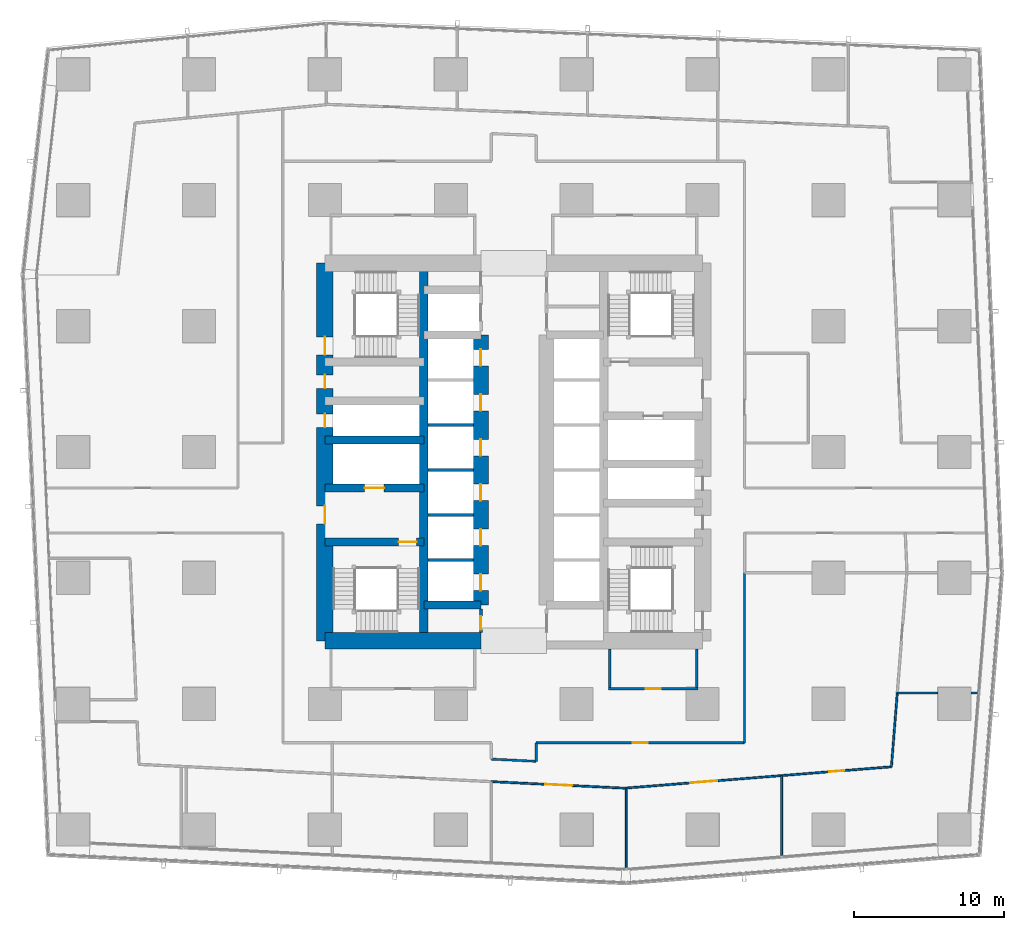
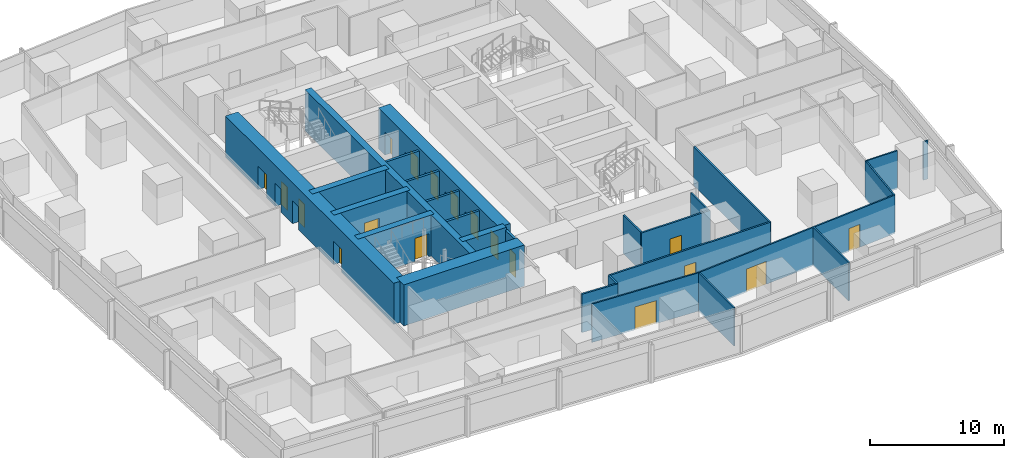
# One storey, part 32 of 44: 28 walls, 18 doors, 18 openings.
"""IFC4 building model written with IfcOpenShell, lengths in metres."""

from ifc_helpers import new_model, si_unit, direction, frame, frame_2d, origin, place, context, subcontext, project, spatial, rectangle, extrude, material, layer, layer_set, type_object, element, fill, save


model = new_model("IFC4")

# Units and contexts
model_context = context("Model", 3, precision=1e-05, world=origin(), true_north=direction((0.0, 1.0)))
body_context = subcontext(model_context, "Body", "Model", "MODEL_VIEW")
ifc_project = project(units=[si_unit("LENGTHUNIT", "METRE"), si_unit("AREAUNIT", "SQUARE_METRE"), si_unit("VOLUMEUNIT", "CUBIC_METRE"), si_unit("PLANEANGLEUNIT", "RADIAN"), si_unit("MASSUNIT", "GRAM", prefix="KILO")], contexts=[model_context])

# Site, building, storey
site_placement = place(None, origin())
site = spatial("IfcSite", under=ifc_project, at=site_placement, CompositionType="ELEMENT")
building_placement = place(site_placement, origin())
building = spatial("IfcBuilding", under=site, at=building_placement, Name="Rekha Terrace Tower", CompositionType="ELEMENT")
storey_placement = place(building_placement, frame((0.0, 0.0, 74.14990234375)))
storey = spatial("IfcBuildingStorey", under=building, at=storey_placement, Name="L18", CompositionType="ELEMENT", Elevation=74.14990234375)

# Walls
ifc_material_1 = material(Name="Concrete M70", Category="concrete")
ifc_layer_1 = layer(ifc_material_1, 0.550048828125)
ifc_layer_set_1 = layer_set([ifc_layer_1], Name="Concrete M70")
wall_type_1 = type_object("IfcWallType", Name="CI1 550 core internal shear wall", PredefinedType="SHEAR", material=ifc_layer_set_1)
wall_1_placement = place(storey_placement, frame((31.800048828125, 21.0, 0.0), z_axis=(0.0, 0.0, 1.0), x_axis=(0.0, 1.0, 0.0)))
element("IfcWall", 1, at=wall_1_placement, inside=storey, type_object=wall_type_1, Name="Core wall X318 L18", PredefinedType="SHEAR", context=body_context, shape_type="SweptSolid", body=[
    extrude(rectangle(XDim=25.199951171875, YDim=0.550048828125, at=frame_2d((12.60009765625, 0.0))), origin(), (0.0, 0.0, 1.0), 3.75),
])
wall_2_placement = place(storey_placement, frame((31.800048828125, 23.39990234375, 0.0), z_axis=(0.0, 0.0, 1.0), x_axis=(1.0, 0.0, 0.0)))
element("IfcWall", 2, at=wall_2_placement, inside=storey, type_object=wall_type_1, Name="Core wall Y234W L18", PredefinedType="SHEAR", context=body_context, shape_type="SweptSolid", body=[
    extrude(rectangle(XDim=3.800048828125, YDim=0.550048828125, at=frame_2d((1.89990234375, 0.0))), origin(), (0.0, 0.0, 1.0), 3.75),
])

# Wall, opening, door
wall_3_placement = place(storey_placement, frame((25.199951171875, 27.60009765625, 0.0), z_axis=(0.0, 0.0, 1.0), x_axis=(1.0, 0.0, 0.0)))
wall_3 = element("IfcWall", 3, at=wall_3_placement, inside=storey, type_object=wall_type_1, Name="Core wall Y276W L18", PredefinedType="SHEAR", context=body_context, shape_type="SweptSolid", body=[
    extrude(rectangle(XDim=6.60009765625, YDim=0.550048828125, at=frame_2d((3.300048828125, 0.0))), origin(), (0.0, 0.0, 1.0), 3.75),
])
opening_1_placement = place(wall_3_placement, frame((4.925048828125, 0.0, 0.0)))
opening_1 = element("IfcOpeningElement", 4, at=opening_1_placement, cuts=wall_3, Name="Opening D1", PredefinedType="OPENING", context=body_context, shape_type="SweptSolid", body=[
    extrude(rectangle(XDim=1.199951171875, YDim=2.10009765625, at=frame_2d((0.60009765625, 1.050048828125))), frame((0.0, 0.284912109375, 0.0), z_axis=(0.0, -1.0, 0.0), x_axis=(1.0, 0.0, 0.0)), (0.0, 0.0, 1.0), 0.570068359375),
])
ifc_material_2 = material(Name="Steel fire door", Category="steel")
door_type_1 = type_object("IfcDoorType", Name="D1 1200x2100 stair fire door", OperationType="SINGLE_SWING_RIGHT", PredefinedType="DOOR", material=ifc_material_2)
door_1_placement = place(opening_1_placement, origin())
door_1 = element("IfcDoor", 5, at=door_1_placement, inside=storey, type_object=door_type_1, Name="Stair ST1 door L18", OperationType="SINGLE_SWING_RIGHT", OverallHeight=2.10009765625, OverallWidth=1.199951171875, PredefinedType="DOOR", context=body_context, shape_type="SweptSolid", body=[
    extrude(rectangle(XDim=1.199951171875, YDim=2.10009765625, at=frame_2d((0.60009765625, 1.050048828125))), frame((0.0, 0.02490234375, 0.0), z_axis=(0.0, -1.0, 0.0), x_axis=(1.0, 0.0, 0.0)), (0.0, 0.0, 1.0), 0.050048828125),
])
fill(opening_1, door_1)

wall_4_placement = place(storey_placement, frame((25.199951171875, 31.199951171875, 0.0), z_axis=(0.0, 0.0, 1.0), x_axis=(1.0, 0.0, 0.0)))
wall_4 = element("IfcWall", 6, at=wall_4_placement, inside=storey, type_object=wall_type_1, Name="Core wall Y312W L18", PredefinedType="SHEAR", context=body_context, shape_type="SweptSolid", body=[
    extrude(rectangle(XDim=6.60009765625, YDim=0.550048828125, at=frame_2d((3.300048828125, 0.0))), origin(), (0.0, 0.0, 1.0), 3.75),
])
opening_2_placement = place(wall_4_placement, frame((2.64990234375, 0.0, 0.0)))
opening_2 = element("IfcOpeningElement", 7, at=opening_2_placement, cuts=wall_4, Name="Opening LD2", PredefinedType="OPENING", context=body_context, shape_type="SweptSolid", body=[
    extrude(rectangle(XDim=1.300048828125, YDim=2.10009765625, at=frame_2d((0.64990234375, 1.050048828125))), frame((0.0, 0.284912109375, 0.0), z_axis=(0.0, -1.0, 0.0), x_axis=(1.0, 0.0, 0.0)), (0.0, 0.0, 1.0), 0.570068359375),
])
ifc_material_3 = material(Name="Stainless steel sliding landing door", Category="steel")
door_type_2 = type_object("IfcDoorType", Name="LD2 1300x2100 fire lift landing door", OperationType="SLIDING_TO_LEFT", PredefinedType="USERDEFINED", material=ifc_material_3)
door_2_placement = place(opening_2_placement, origin())
door_2 = element("IfcDoor", 8, at=door_2_placement, inside=storey, type_object=door_type_2, Name="Lift FL1 landing door L18", ObjectType="LIFT LANDING DOOR", OperationType="SLIDING_TO_LEFT", OverallHeight=2.10009765625, OverallWidth=1.300048828125, PredefinedType="USERDEFINED", context=body_context, shape_type="SweptSolid", body=[
    extrude(rectangle(XDim=1.300048828125, YDim=2.10009765625, at=frame_2d((0.64990234375, 1.050048828125))), frame((0.0, 0.02490234375, 0.0), z_axis=(0.0, -1.0, 0.0), x_axis=(1.0, 0.0, 0.0)), (0.0, 0.0, 1.0), 0.050048828125),
])
fill(opening_2, door_2)

# Wall
wall_5_placement = place(storey_placement, frame((25.199951171875, 34.39990234375, 0.0), z_axis=(0.0, 0.0, 1.0), x_axis=(1.0, 0.0, 0.0)))
element("IfcWall", 9, at=wall_5_placement, inside=storey, type_object=wall_type_1, Name="Core wall Y344W L18", PredefinedType="SHEAR", context=body_context, shape_type="SweptSolid", body=[
    extrude(rectangle(XDim=6.60009765625, YDim=0.550048828125, at=frame_2d((3.300048828125, 0.0))), origin(), (0.0, 0.0, 1.0), 3.75),
])

# Wall, openings, doors
ifc_layer_2 = layer(ifc_material_1, 1.0)
ifc_layer_set_2 = layer_set([ifc_layer_2], Name="Concrete M70")
wall_type_2 = type_object("IfcWallType", Name="LW1 1000 core lobby wall at an outrigger level", PredefinedType="SHEAR", material=ifc_layer_set_2)
wall_6_placement = place(storey_placement, frame((35.60009765625, 23.39990234375, 0.0), z_axis=(0.0, 0.0, 1.0), x_axis=(0.0, 1.0, 0.0)))
wall_6 = element("IfcWall", 10, at=wall_6_placement, inside=storey, type_object=wall_type_2, Name="Core wall X356 L18", PredefinedType="SHEAR", context=body_context, shape_type="SweptSolid", body=[
    extrude(rectangle(XDim=18.0, YDim=1.0, at=frame_2d((9.0, 0.0))), origin(), (0.0, 0.0, 1.0), 3.75),
])
opening_3_placement = place(wall_6_placement, frame((0.949951171875, 0.0, 0.0)))
opening_3 = element("IfcOpeningElement", 11, at=opening_3_placement, cuts=wall_6, Name="Opening LD1", PredefinedType="OPENING", context=body_context, shape_type="SweptSolid", body=[
    extrude(rectangle(XDim=1.10009765625, YDim=2.10009765625, at=frame_2d((0.550048828125, 1.050048828125))), frame((0.0, 0.510009765625, 0.0), z_axis=(0.0, -1.0, 0.0), x_axis=(1.0, 0.0, 0.0)), (0.0, 0.0, 1.0), 1.02001953125),
])
opening_4_placement = place(wall_6_placement, frame((3.949951171875, 0.0, 0.0)))
opening_4 = element("IfcOpeningElement", 12, at=opening_4_placement, cuts=wall_6, Name="Opening LD1", PredefinedType="OPENING", context=body_context, shape_type="SweptSolid", body=[
    extrude(rectangle(XDim=1.10009765625, YDim=2.10009765625, at=frame_2d((0.550048828125, 1.050048828125))), frame((0.0, 0.510009765625, 0.0), z_axis=(0.0, -1.0, 0.0), x_axis=(1.0, 0.0, 0.0)), (0.0, 0.0, 1.0), 1.02001953125),
])
opening_5_placement = place(wall_6_placement, frame((6.949951171875, 0.0, 0.0)))
opening_5 = element("IfcOpeningElement", 13, at=opening_5_placement, cuts=wall_6, Name="Opening LD1", PredefinedType="OPENING", context=body_context, shape_type="SweptSolid", body=[
    extrude(rectangle(XDim=1.10009765625, YDim=2.10009765625, at=frame_2d((0.550048828125, 1.050048828125))), frame((0.0, 0.510009765625, 0.0), z_axis=(0.0, -1.0, 0.0), x_axis=(1.0, 0.0, 0.0)), (0.0, 0.0, 1.0), 1.02001953125),
])
opening_6_placement = place(wall_6_placement, frame((9.949951171875, 0.0, 0.0)))
opening_6 = element("IfcOpeningElement", 14, at=opening_6_placement, cuts=wall_6, Name="Opening LD1", PredefinedType="OPENING", context=body_context, shape_type="SweptSolid", body=[
    extrude(rectangle(XDim=1.10009765625, YDim=2.10009765625, at=frame_2d((0.550048828125, 1.050048828125))), frame((0.0, 0.510009765625, 0.0), z_axis=(0.0, -1.0, 0.0), x_axis=(1.0, 0.0, 0.0)), (0.0, 0.0, 1.0), 1.02001953125),
])
opening_7_placement = place(wall_6_placement, frame((12.949951171875, 0.0, 0.0)))
opening_7 = element("IfcOpeningElement", 15, at=opening_7_placement, cuts=wall_6, Name="Opening LD1", PredefinedType="OPENING", context=body_context, shape_type="SweptSolid", body=[
    extrude(rectangle(XDim=1.10009765625, YDim=2.10009765625, at=frame_2d((0.550048828125, 1.050048828125))), frame((0.0, 0.510009765625, 0.0), z_axis=(0.0, -1.0, 0.0), x_axis=(1.0, 0.0, 0.0)), (0.0, 0.0, 1.0), 1.02001953125),
])
opening_8_placement = place(wall_6_placement, frame((15.949951171875, 0.0, 0.0)))
opening_8 = element("IfcOpeningElement", 16, at=opening_8_placement, cuts=wall_6, Name="Opening LD1", PredefinedType="OPENING", context=body_context, shape_type="SweptSolid", body=[
    extrude(rectangle(XDim=1.10009765625, YDim=2.10009765625, at=frame_2d((0.550048828125, 1.050048828125))), frame((0.0, 0.510009765625, 0.0), z_axis=(0.0, -1.0, 0.0), x_axis=(1.0, 0.0, 0.0)), (0.0, 0.0, 1.0), 1.02001953125),
])
door_type_3 = type_object("IfcDoorType", Name="LD1 1100x2100 lift landing door", OperationType="SLIDING_TO_LEFT", PredefinedType="USERDEFINED", material=ifc_material_3)
door_3_placement = place(opening_3_placement, origin())
door_3 = element("IfcDoor", 17, at=door_3_placement, inside=storey, type_object=door_type_3, Name="Lift A1 landing door L18", ObjectType="LIFT LANDING DOOR", OperationType="SLIDING_TO_LEFT", OverallHeight=2.10009765625, OverallWidth=1.10009765625, PredefinedType="USERDEFINED", context=body_context, shape_type="SweptSolid", body=[
    extrude(rectangle(XDim=1.10009765625, YDim=2.10009765625, at=frame_2d((0.550048828125, 1.050048828125))), frame((0.0, 0.02490234375, 0.0), z_axis=(0.0, -1.0, 0.0), x_axis=(1.0, 0.0, 0.0)), (0.0, 0.0, 1.0), 0.050048828125),
])
fill(opening_3, door_3)
door_4_placement = place(opening_4_placement, origin())
door_4 = element("IfcDoor", 18, at=door_4_placement, inside=storey, type_object=door_type_3, Name="Lift A2 landing door L18", ObjectType="LIFT LANDING DOOR", OperationType="SLIDING_TO_LEFT", OverallHeight=2.10009765625, OverallWidth=1.10009765625, PredefinedType="USERDEFINED", context=body_context, shape_type="SweptSolid", body=[
    extrude(rectangle(XDim=1.10009765625, YDim=2.10009765625, at=frame_2d((0.550048828125, 1.050048828125))), frame((0.0, 0.02490234375, 0.0), z_axis=(0.0, -1.0, 0.0), x_axis=(1.0, 0.0, 0.0)), (0.0, 0.0, 1.0), 0.050048828125),
])
fill(opening_4, door_4)
door_5_placement = place(opening_5_placement, origin())
door_5 = element("IfcDoor", 19, at=door_5_placement, inside=storey, type_object=door_type_3, Name="Lift A3 landing door L18", ObjectType="LIFT LANDING DOOR", OperationType="SLIDING_TO_LEFT", OverallHeight=2.10009765625, OverallWidth=1.10009765625, PredefinedType="USERDEFINED", context=body_context, shape_type="SweptSolid", body=[
    extrude(rectangle(XDim=1.10009765625, YDim=2.10009765625, at=frame_2d((0.550048828125, 1.050048828125))), frame((0.0, 0.02490234375, 0.0), z_axis=(0.0, -1.0, 0.0), x_axis=(1.0, 0.0, 0.0)), (0.0, 0.0, 1.0), 0.050048828125),
])
fill(opening_5, door_5)
door_6_placement = place(opening_6_placement, origin())
door_6 = element("IfcDoor", 20, at=door_6_placement, inside=storey, type_object=door_type_3, Name="Lift A4 landing door L18", ObjectType="LIFT LANDING DOOR", OperationType="SLIDING_TO_LEFT", OverallHeight=2.10009765625, OverallWidth=1.10009765625, PredefinedType="USERDEFINED", context=body_context, shape_type="SweptSolid", body=[
    extrude(rectangle(XDim=1.10009765625, YDim=2.10009765625, at=frame_2d((0.550048828125, 1.050048828125))), frame((0.0, 0.02490234375, 0.0), z_axis=(0.0, -1.0, 0.0), x_axis=(1.0, 0.0, 0.0)), (0.0, 0.0, 1.0), 0.050048828125),
])
fill(opening_6, door_6)
door_7_placement = place(opening_7_placement, origin())
door_7 = element("IfcDoor", 21, at=door_7_placement, inside=storey, type_object=door_type_3, Name="Lift A5 landing door L18", ObjectType="LIFT LANDING DOOR", OperationType="SLIDING_TO_LEFT", OverallHeight=2.10009765625, OverallWidth=1.10009765625, PredefinedType="USERDEFINED", context=body_context, shape_type="SweptSolid", body=[
    extrude(rectangle(XDim=1.10009765625, YDim=2.10009765625, at=frame_2d((0.550048828125, 1.050048828125))), frame((0.0, 0.02490234375, 0.0), z_axis=(0.0, -1.0, 0.0), x_axis=(1.0, 0.0, 0.0)), (0.0, 0.0, 1.0), 0.050048828125),
])
fill(opening_7, door_7)
door_8_placement = place(opening_8_placement, origin())
door_8 = element("IfcDoor", 22, at=door_8_placement, inside=storey, type_object=door_type_3, Name="Lift A6 landing door L18", ObjectType="LIFT LANDING DOOR", OperationType="SLIDING_TO_LEFT", OverallHeight=2.10009765625, OverallWidth=1.10009765625, PredefinedType="USERDEFINED", context=body_context, shape_type="SweptSolid", body=[
    extrude(rectangle(XDim=1.10009765625, YDim=2.10009765625, at=frame_2d((0.550048828125, 1.050048828125))), frame((0.0, 0.02490234375, 0.0), z_axis=(0.0, -1.0, 0.0), x_axis=(1.0, 0.0, 0.0)), (0.0, 0.0, 1.0), 0.050048828125),
])
fill(opening_8, door_8)

# Wall
ifc_layer_3 = layer(ifc_material_1, 1.10009765625)
ifc_layer_set_3 = layer_set([ifc_layer_3], Name="Concrete M70")
wall_type_3 = type_object("IfcWallType", Name="SW1 1100 core outer shear wall", PredefinedType="SHEAR", material=ifc_layer_set_3)
wall_7_placement = place(storey_placement, frame((25.199951171875, 21.0, 0.0), z_axis=(0.0, 0.0, 1.0), x_axis=(1.0, 0.0, 0.0)))
element("IfcWall", 23, at=wall_7_placement, inside=storey, type_object=wall_type_3, Name="Core wall S1 L18", PredefinedType="SHEAR", context=body_context, shape_type="SweptSolid", body=[
    extrude(rectangle(XDim=10.400146484375, YDim=1.10009765625, at=frame_2d((5.2001953125, 0.0))), origin(), (0.0, 0.0, 1.0), 3.75),
])

# Wall, openings, doors
wall_8_placement = place(storey_placement, frame((25.199951171875, 21.0, 0.0), z_axis=(0.0, 0.0, 1.0), x_axis=(0.0, 1.0, 0.0)))
wall_8 = element("IfcWall", 24, at=wall_8_placement, inside=storey, type_object=wall_type_3, Name="Core wall W L18", PredefinedType="SHEAR", context=body_context, shape_type="SweptSolid", body=[
    extrude(rectangle(XDim=25.199951171875, YDim=1.10009765625, at=frame_2d((12.60009765625, 0.0))), origin(), (0.0, 0.0, 1.0), 3.75),
])
opening_9_placement = place(wall_8_placement, frame((7.800048828125, 0.0, 0.0)))
opening_9 = element("IfcOpeningElement", 25, at=opening_9_placement, cuts=wall_8, Name="Opening D2", PredefinedType="OPENING", context=body_context, shape_type="SweptSolid", body=[
    extrude(rectangle(XDim=1.199951171875, YDim=2.10009765625, at=frame_2d((0.60009765625, 1.050048828125))), frame((0.0, 0.56005859375, 0.0), z_axis=(0.0, -1.0, 0.0), x_axis=(1.0, 0.0, 0.0)), (0.0, 0.0, 1.0), 1.1201171875),
])
opening_10_placement = place(wall_8_placement, frame((14.25, 0.0, 0.0)))
opening_10 = element("IfcOpeningElement", 26, at=opening_10_placement, cuts=wall_8, Name="Opening D5", PredefinedType="OPENING", context=body_context, shape_type="SweptSolid", body=[
    extrude(rectangle(XDim=0.89990234375, YDim=2.10009765625, at=frame_2d((0.449951171875, 1.050048828125))), frame((0.0, 0.56005859375, 0.0), z_axis=(0.0, -1.0, 0.0), x_axis=(1.0, 0.0, 0.0)), (0.0, 0.0, 1.0), 1.1201171875),
])
opening_11_placement = place(wall_8_placement, frame((16.85009765625, 0.0, 0.0)))
opening_11 = element("IfcOpeningElement", 27, at=opening_11_placement, cuts=wall_8, Name="Opening D5", PredefinedType="OPENING", context=body_context, shape_type="SweptSolid", body=[
    extrude(rectangle(XDim=0.89990234375, YDim=2.10009765625, at=frame_2d((0.449951171875, 1.050048828125))), frame((0.0, 0.56005859375, 0.0), z_axis=(0.0, -1.0, 0.0), x_axis=(1.0, 0.0, 0.0)), (0.0, 0.0, 1.0), 1.1201171875),
])
opening_12_placement = place(wall_8_placement, frame((19.074951171875, 0.0, 0.0)))
opening_12 = element("IfcOpeningElement", 28, at=opening_12_placement, cuts=wall_8, Name="Opening D1", PredefinedType="OPENING", context=body_context, shape_type="SweptSolid", body=[
    extrude(rectangle(XDim=1.199951171875, YDim=2.10009765625, at=frame_2d((0.60009765625, 1.050048828125))), frame((0.0, 0.56005859375, 0.0), z_axis=(0.0, -1.0, 0.0), x_axis=(1.0, 0.0, 0.0)), (0.0, 0.0, 1.0), 1.1201171875),
])
door_9_placement = place(opening_12_placement, origin())
door_9 = element("IfcDoor", 29, at=door_9_placement, inside=storey, type_object=door_type_1, Name="Stair ST4 door L18", OperationType="SINGLE_SWING_RIGHT", OverallHeight=2.10009765625, OverallWidth=1.199951171875, PredefinedType="DOOR", context=body_context, shape_type="SweptSolid", body=[
    extrude(rectangle(XDim=1.199951171875, YDim=2.10009765625, at=frame_2d((0.60009765625, 1.050048828125))), frame((0.0, 0.02490234375, 0.0), z_axis=(0.0, -1.0, 0.0), x_axis=(1.0, 0.0, 0.0)), (0.0, 0.0, 1.0), 0.050048828125),
])
fill(opening_12, door_9)
door_type_4 = type_object("IfcDoorType", Name="D2 1200x2100 firefighting lobby door", OperationType="SINGLE_SWING_LEFT", PredefinedType="DOOR", material=ifc_material_2)
door_10_placement = place(opening_9_placement, origin())
door_10 = element("IfcDoor", 30, at=door_10_placement, inside=storey, type_object=door_type_4, Name="Door flb1 L18", OperationType="SINGLE_SWING_LEFT", OverallHeight=2.10009765625, OverallWidth=1.199951171875, PredefinedType="DOOR", context=body_context, shape_type="SweptSolid", body=[
    extrude(rectangle(XDim=1.199951171875, YDim=2.10009765625, at=frame_2d((0.60009765625, 1.050048828125))), frame((0.0, 0.02490234375, 0.0), z_axis=(0.0, -1.0, 0.0), x_axis=(1.0, 0.0, 0.0)), (0.0, 0.0, 1.0), 0.050048828125),
])
fill(opening_9, door_10)
door_type_5 = type_object("IfcDoorType", Name="D5 900x2100 riser access door", OperationType="SINGLE_SWING_LEFT", PredefinedType="DOOR", material=ifc_material_2)
door_11_placement = place(opening_10_placement, origin())
door_11 = element("IfcDoor", 31, at=door_11_placement, inside=storey, type_object=door_type_5, Name="Door rs1 L18", OperationType="SINGLE_SWING_LEFT", OverallHeight=2.10009765625, OverallWidth=0.89990234375, PredefinedType="DOOR", context=body_context, shape_type="SweptSolid", body=[
    extrude(rectangle(XDim=0.89990234375, YDim=2.10009765625, at=frame_2d((0.449951171875, 1.050048828125))), frame((0.0, 0.02490234375, 0.0), z_axis=(0.0, -1.0, 0.0), x_axis=(1.0, 0.0, 0.0)), (0.0, 0.0, 1.0), 0.050048828125),
])
fill(opening_10, door_11)
door_12_placement = place(opening_11_placement, origin())
door_12 = element("IfcDoor", 32, at=door_12_placement, inside=storey, type_object=door_type_5, Name="Door elw L18", OperationType="SINGLE_SWING_LEFT", OverallHeight=2.10009765625, OverallWidth=0.89990234375, PredefinedType="DOOR", context=body_context, shape_type="SweptSolid", body=[
    extrude(rectangle(XDim=0.89990234375, YDim=2.10009765625, at=frame_2d((0.449951171875, 1.050048828125))), frame((0.0, 0.02490234375, 0.0), z_axis=(0.0, -1.0, 0.0), x_axis=(1.0, 0.0, 0.0)), (0.0, 0.0, 1.0), 0.050048828125),
])
fill(opening_11, door_12)

# Wall, opening, door
ifc_material_4 = material(Name="Concrete block masonry, 1 hour", Category="masonry")
ifc_layer_4 = layer(ifc_material_4, 0.14990234375)
ifc_layer_set_4 = layer_set([ifc_layer_4], Name="Concrete block masonry, 1 hour")
wall_type_4 = type_object("IfcWallType", Name="WP2 150 tenancy partition", PredefinedType="PARTITIONING", material=ifc_layer_set_4)
wall_9_placement = place(storey_placement, frame((44.125, 17.800048828125, 0.0), z_axis=(0.0, 0.0, 1.0), x_axis=(1.0, 0.0, 0.0)))
wall_9 = element("IfcWall", 33, at=wall_9_placement, inside=storey, type_object=wall_type_4, Name="Men's WC wall L18", PredefinedType="PARTITIONING", context=body_context, shape_type="SweptSolid", body=[
    extrude(rectangle(XDim=5.949951171875, YDim=0.14990234375, at=frame_2d((2.97509765625, 0.0))), origin(), (0.0, 0.0, 1.0), 3.5),
])
opening_13_placement = place(wall_9_placement, frame((2.47509765625, 0.0, 0.0)))
opening_13 = element("IfcOpeningElement", 34, at=opening_13_placement, cuts=wall_9, Name="Opening D3", PredefinedType="OPENING", context=body_context, shape_type="SweptSolid", body=[
    extrude(rectangle(XDim=1.0, YDim=2.10009765625, at=frame_2d((0.5, 1.050048828125))), frame((0.0, 0.0849609375, 0.0), z_axis=(0.0, -1.0, 0.0), x_axis=(1.0, 0.0, 0.0)), (0.0, 0.0, 1.0), 0.169921875),
])
ifc_material_5 = material(Name="Laminated timber fire door", Category="wood")
door_type_6 = type_object("IfcDoorType", Name="D3 1000x2100 WC door", OperationType="SINGLE_SWING_LEFT", PredefinedType="DOOR", material=ifc_material_5)
door_13_placement = place(opening_13_placement, origin())
door_13 = element("IfcDoor", 35, at=door_13_placement, inside=storey, type_object=door_type_6, Name="Door men's wc L18", OperationType="SINGLE_SWING_LEFT", OverallHeight=2.10009765625, OverallWidth=1.0, PredefinedType="DOOR", context=body_context, shape_type="SweptSolid", body=[
    extrude(rectangle(XDim=1.0, YDim=2.10009765625, at=frame_2d((0.5, 1.050048828125))), frame((0.0, 0.02490234375, 0.0), z_axis=(0.0, -1.0, 0.0), x_axis=(1.0, 0.0, 0.0)), (0.0, 0.0, 1.0), 0.050048828125),
])
fill(opening_13, door_13)

# Walls
for number, where, z_axis, x_axis, name in (
    (36, (44.199951171875, 17.875, 0.0), (0.0, 0.0, 1.0), (0.0, 1.0, 0.0), "Men's WC wall L18"),
    (37, (50.0, 17.875, 0.0), (0.0, 0.0, 1.0), (0.0, 1.0, 0.0), "Men's WC wall L18"),
):
    element("IfcWall", number, at=place(storey_placement, frame(where, z_axis=z_axis, x_axis=x_axis)), inside=storey, type_object=wall_type_4, Name=name, PredefinedType="PARTITIONING", context=body_context, shape_type="SweptSolid", body=[
        extrude(rectangle(XDim=2.574951171875, YDim=0.14990234375, at=frame_2d((1.28759765625, 0.0))), origin(), (0.0, 0.0, 1.0), 3.5),
    ])
wall_10_placement = place(storey_placement, frame((36.300048828125, 13.111083984375, 0.0), z_axis=(0.0, 0.0, 1.0), x_axis=(0.998802102454, -0.048932199355, 0.0)))
element("IfcWall", 38, at=wall_10_placement, inside=storey, type_object=wall_type_4, Name="Partition L18-O1", PredefinedType="PARTITIONING", context=body_context, shape_type="SweptSolid", body=[
    extrude(rectangle(XDim=3.003662109375, YDim=0.14990234375, at=frame_2d((1.501953125, 0.0))), origin(), (0.0, 0.0, 1.0), 3.5),
])
wall_11_placement = place(storey_placement, frame((39.300048828125, 12.964111328125, 0.0), z_axis=(0.0, 0.0, 1.0), x_axis=(0.0, 1.0, 0.0)))
element("IfcWall", 39, at=wall_11_placement, inside=storey, type_object=wall_type_4, Name="Partition L18-O1", PredefinedType="PARTITIONING", context=body_context, shape_type="SweptSolid", body=[
    extrude(rectangle(XDim=1.23583984375, YDim=0.14990234375, at=frame_2d((0.617919921875, 0.0))), origin(), (0.0, 0.0, 1.0), 3.5),
])

# Wall, opening, door
wall_12_placement = place(storey_placement, frame((39.300048828125, 14.199951171875, 0.0), z_axis=(0.0, 0.0, 1.0), x_axis=(1.0, 0.0, 0.0)))
wall_12 = element("IfcWall", 40, at=wall_12_placement, inside=storey, type_object=wall_type_4, Name="Partition L18-O1", PredefinedType="PARTITIONING", context=body_context, shape_type="SweptSolid", body=[
    extrude(rectangle(XDim=13.89990234375, YDim=0.14990234375, at=frame_2d((6.949951171875, 0.0))), origin(), (0.0, 0.0, 1.0), 3.5),
])
opening_14_placement = place(wall_12_placement, frame((6.449951171875, 0.0, 0.0)))
opening_14 = element("IfcOpeningElement", 41, at=opening_14_placement, cuts=wall_12, Name="Opening D9", PredefinedType="OPENING", context=body_context, shape_type="SweptSolid", body=[
    extrude(rectangle(XDim=1.0, YDim=2.10009765625, at=frame_2d((0.5, 1.050048828125))), frame((0.0, 0.0849609375, 0.0), z_axis=(0.0, -1.0, 0.0), x_axis=(1.0, 0.0, 0.0)), (0.0, 0.0, 1.0), 0.169921875),
])
ifc_material_6 = material(Name="Timber fire door", Category="wood")
door_type_7 = type_object("IfcDoorType", Name="D9 1000x2100 office door", OperationType="SINGLE_SWING_LEFT", PredefinedType="DOOR", material=ifc_material_6)
door_14_placement = place(opening_14_placement, origin())
door_14 = element("IfcDoor", 42, at=door_14_placement, inside=storey, type_object=door_type_7, Name="Door open-plan office L18", OperationType="SINGLE_SWING_LEFT", OverallHeight=2.10009765625, OverallWidth=1.0, PredefinedType="DOOR", context=body_context, shape_type="SweptSolid", body=[
    extrude(rectangle(XDim=1.0, YDim=2.10009765625, at=frame_2d((0.5, 1.050048828125))), frame((0.0, 0.02490234375, 0.0), z_axis=(0.0, -1.0, 0.0), x_axis=(1.0, 0.0, 0.0)), (0.0, 0.0, 1.0), 0.050048828125),
])
fill(opening_14, door_14)

# Wall
wall_13_placement = place(storey_placement, frame((53.199951171875, 14.199951171875, 0.0), z_axis=(0.0, 0.0, 1.0), x_axis=(0.0, 1.0, 0.0)))
element("IfcWall", 43, at=wall_13_placement, inside=storey, type_object=wall_type_4, Name="Partition L18-O1", PredefinedType="PARTITIONING", context=body_context, shape_type="SweptSolid", body=[
    extrude(rectangle(XDim=11.35205078125, YDim=0.14990234375, at=frame_2d((5.676025390625, 0.0))), origin(), (0.0, 0.0, 1.0), 3.5),
])

# Wall, opening, door
ifc_material_7 = material(Name="Two layers of fire-rated gypsum board each side on steel studs, acoustic quilt, 1 hour", Category="steel")
ifc_layer_5 = layer(ifc_material_7, 0.125)
ifc_layer_set_5 = layer_set([ifc_layer_5], Name="Two layers of fire-rated gypsum board each side on steel studs, acoustic quilt, 1 hour")
wall_type_5 = type_object("IfcWallType", Name="WP3 125 office partition", PredefinedType="PARTITIONING", material=ifc_layer_set_5)
wall_14_placement = place(storey_placement, frame((36.299072265625, 11.60888671875, 0.0), z_axis=(0.0, 0.0, 1.0), x_axis=(0.998798622269, -0.049003185143, 0.0)))
wall_14 = element("IfcWall", 44, at=wall_14_placement, inside=storey, type_object=wall_type_5, Name="Partition L18-02", PredefinedType="PARTITIONING", context=body_context, shape_type="SweptSolid", body=[
    extrude(rectangle(XDim=9.017578125, YDim=0.125, at=frame_2d((4.5087890625, 0.0))), origin(), (0.0, 0.0, 1.0), 3.5),
])
opening_15_placement = place(wall_14_placement, frame((3.60791015625, 0.0, 0.0)))
opening_15 = element("IfcOpeningElement", 45, at=opening_15_placement, cuts=wall_14, Name="Opening D8", PredefinedType="OPENING", context=body_context, shape_type="SweptSolid", body=[
    extrude(rectangle(XDim=1.800048828125, YDim=2.10009765625, at=frame_2d((0.89990234375, 1.050048828125))), frame((0.0, 0.072509765625, 0.0), z_axis=(0.0, -1.0, 0.0), x_axis=(1.0, 0.0, 0.0)), (0.0, 0.0, 1.0), 0.14501953125),
])
door_type_8 = type_object("IfcDoorType", Name="D8 1800x2100 double leaf door", OperationType="DOUBLE_DOOR_SINGLE_SWING", PredefinedType="DOOR", material=ifc_material_6)
door_15_placement = place(opening_15_placement, origin())
door_15 = element("IfcDoor", 46, at=door_15_placement, inside=storey, type_object=door_type_8, Name="Door meeting room L18", OperationType="DOUBLE_DOOR_SINGLE_SWING", OverallHeight=2.10009765625, OverallWidth=1.800048828125, PredefinedType="DOOR", context=body_context, shape_type="SweptSolid", body=[
    extrude(rectangle(XDim=1.800048828125, YDim=2.10009765625, at=frame_2d((0.89990234375, 1.050048828125))), frame((0.0, 0.02490234375, 0.0), z_axis=(0.0, -1.0, 0.0), x_axis=(1.0, 0.0, 0.0)), (0.0, 0.0, 1.0), 0.050048828125),
])
fill(opening_15, door_15)

# Wall
wall_15_placement = place(storey_placement, frame((45.303955078125, 11.10693359375, 0.0), z_axis=(0.0, 0.0, 1.0), x_axis=(0.0, -1.0, 0.0)))
element("IfcWall", 47, at=wall_15_placement, inside=storey, type_object=wall_type_5, Name="Partition L18-02", PredefinedType="PARTITIONING", context=body_context, shape_type="SweptSolid", body=[
    extrude(rectangle(XDim=5.261962890625, YDim=0.125, at=frame_2d((2.630859375, 0.0))), origin(), (0.0, 0.0, 1.0), 3.5),
])

# Wall, opening, door
wall_16_placement = place(storey_placement, frame((45.306884765625, 11.181884765625, 0.0), z_axis=(0.0, 0.0, 1.0), x_axis=(0.996807957409, 0.079836683593, 0.0)))
wall_16 = element("IfcWall", 48, at=wall_16_placement, inside=storey, type_object=wall_type_5, Name="Partition L18-03", PredefinedType="PARTITIONING", context=body_context, shape_type="SweptSolid", body=[
    extrude(rectangle(XDim=10.397216796875, YDim=0.125, at=frame_2d((5.19873046875, 0.0))), origin(), (0.0, 0.0, 1.0), 3.5),
])
opening_16_placement = place(wall_16_placement, frame((4.298095703125, 0.0, 0.0)))
opening_16 = element("IfcOpeningElement", 49, at=opening_16_placement, cuts=wall_16, Name="Opening D8", PredefinedType="OPENING", context=body_context, shape_type="SweptSolid", body=[
    extrude(rectangle(XDim=1.800048828125, YDim=2.10009765625, at=frame_2d((0.89990234375, 1.050048828125))), frame((0.0, 0.072509765625, 0.0), z_axis=(0.0, -1.0, 0.0), x_axis=(1.0, 0.0, 0.0)), (0.0, 0.0, 1.0), 0.14501953125),
])
door_16_placement = place(opening_16_placement, origin())
door_16 = element("IfcDoor", 50, at=door_16_placement, inside=storey, type_object=door_type_8, Name="Door breakout lounge L18", OperationType="DOUBLE_DOOR_SINGLE_SWING", OverallHeight=2.10009765625, OverallWidth=1.800048828125, PredefinedType="DOOR", context=body_context, shape_type="SweptSolid", body=[
    extrude(rectangle(XDim=1.800048828125, YDim=2.10009765625, at=frame_2d((0.89990234375, 1.050048828125))), frame((0.0, 0.02490234375, 0.0), z_axis=(0.0, -1.0, 0.0), x_axis=(1.0, 0.0, 0.0)), (0.0, 0.0, 1.0), 0.050048828125),
])
fill(opening_16, door_16)

# Wall
wall_17_placement = place(storey_placement, frame((55.6708984375, 12.011962890625, 0.0), z_axis=(0.0, 0.0, 1.0), x_axis=(0.0, -1.0, 0.0)))
element("IfcWall", 51, at=wall_17_placement, inside=storey, type_object=wall_type_5, Name="Partition L18-03", PredefinedType="PARTITIONING", context=body_context, shape_type="SweptSolid", body=[
    extrude(rectangle(XDim=5.3369140625, YDim=0.125, at=frame_2d((2.66845703125, 0.0))), origin(), (0.0, 0.0, 1.0), 3.5),
])

# Wall, opening, door
wall_18_placement = place(storey_placement, frame((55.673095703125, 12.012939453125, 0.0), z_axis=(0.0, 0.0, 1.0), x_axis=(0.996811579084, 0.079791451955, 0.0)))
wall_18 = element("IfcWall", 52, at=wall_18_placement, inside=storey, type_object=wall_type_5, Name="Partition L18-04", PredefinedType="PARTITIONING", context=body_context, shape_type="SweptSolid", body=[
    extrude(rectangle(XDim=7.346435546875, YDim=0.125, at=frame_2d((3.67333984375, 0.0))), origin(), (0.0, 0.0, 1.0), 3.5),
])
opening_17_placement = place(wall_18_placement, frame((3.173095703125, 0.0, 0.0)))
opening_17 = element("IfcOpeningElement", 53, at=opening_17_placement, cuts=wall_18, Name="Opening D9", PredefinedType="OPENING", context=body_context, shape_type="SweptSolid", body=[
    extrude(rectangle(XDim=1.0, YDim=2.10009765625, at=frame_2d((0.5, 1.050048828125))), frame((0.0, 0.072509765625, 0.0), z_axis=(0.0, -1.0, 0.0), x_axis=(1.0, 0.0, 0.0)), (0.0, 0.0, 1.0), 0.14501953125),
])
door_17_placement = place(opening_17_placement, origin())
door_17 = element("IfcDoor", 54, at=door_17_placement, inside=storey, type_object=door_type_7, Name="Door director's office L18", OperationType="SINGLE_SWING_LEFT", OverallHeight=2.10009765625, OverallWidth=1.0, PredefinedType="DOOR", context=body_context, shape_type="SweptSolid", body=[
    extrude(rectangle(XDim=1.0, YDim=2.10009765625, at=frame_2d((0.5, 1.050048828125))), frame((0.0, 0.02490234375, 0.0), z_axis=(0.0, -1.0, 0.0), x_axis=(1.0, 0.0, 0.0)), (0.0, 0.0, 1.0), 0.050048828125),
])
fill(opening_17, door_17)

# Walls
wall_19_placement = place(storey_placement, frame((62.99609375, 12.59912109375, 0.0), z_axis=(0.0, 0.0, 1.0), x_axis=(0.079134233178, 0.996863969225, 0.0)))
element("IfcWall", 55, at=wall_19_placement, inside=storey, type_object=wall_type_5, Name="Partition L18-04", PredefinedType="PARTITIONING", context=body_context, shape_type="SweptSolid", body=[
    extrude(rectangle(XDim=4.939208984375, YDim=0.125, at=frame_2d((2.4697265625, 0.0))), origin(), (0.0, 0.0, 1.0), 3.5),
])
wall_20_placement = place(storey_placement, frame((63.386962890625, 17.52294921875, 0.0), z_axis=(0.0, 0.0, 1.0), x_axis=(1.0, 0.0, 0.0)))
element("IfcWall", 56, at=wall_20_placement, inside=storey, type_object=wall_type_5, Name="Partition L18-04", PredefinedType="PARTITIONING", context=body_context, shape_type="SweptSolid", body=[
    extrude(rectangle(XDim=2.693115234375, YDim=0.125, at=frame_2d((1.3466796875, 0.0))), origin(), (0.0, 0.0, 1.0), 3.5),
])
wall_21_placement = place(storey_placement, frame((68.320068359375, 17.52294921875, 0.0), z_axis=(0.0, 0.0, 1.0), x_axis=(1.0, 0.0, 0.0)))
element("IfcWall", 57, at=wall_21_placement, inside=storey, type_object=wall_type_5, Name="Partition L18-04", PredefinedType="PARTITIONING", context=body_context, shape_type="SweptSolid", body=[
    extrude(rectangle(XDim=0.40283203125, YDim=0.125, at=frame_2d((0.201416015625, 0.0))), origin(), (0.0, 0.0, 1.0), 3.5),
])
ifc_material_8 = material(Name="Solid concrete block masonry, 2 hour", Category="masonry")
ifc_layer_6 = layer(ifc_material_8, 0.199951171875)
ifc_layer_set_6 = layer_set([ifc_layer_6], Name="Solid concrete block masonry, 2 hour")
wall_type_6 = type_object("IfcWallType", Name="WS1 200 stair and shaft enclosure", PredefinedType="PARTITIONING", material=ifc_layer_set_6)
for number, where, z_axis, x_axis, name in (
    (58, (32.074951171875, 26.39990234375, 0.0), (0.0, 0.0, 1.0), (1.0, 0.0, 0.0), "Lift shaft divider L18"),
    (59, (32.074951171875, 29.39990234375, 0.0), (0.0, 0.0, 1.0), (1.0, 0.0, 0.0), "Lift shaft divider L18"),
    (60, (32.074951171875, 32.39990234375, 0.0), (0.0, 0.0, 1.0), (1.0, 0.0, 0.0), "Lift shaft divider L18"),
    (61, (32.074951171875, 35.39990234375, 0.0), (0.0, 0.0, 1.0), (1.0, 0.0, 0.0), "Lift shaft divider L18"),
):
    element("IfcWall", number, at=place(storey_placement, frame(where, z_axis=z_axis, x_axis=x_axis)), inside=storey, type_object=wall_type_6, Name=name, PredefinedType="PARTITIONING", context=body_context, shape_type="SweptSolid", body=[
        extrude(rectangle(XDim=3.025146484375, YDim=0.199951171875, at=frame_2d((1.5126953125, 0.0))), origin(), (0.0, 0.0, 1.0), 3.5),
    ])

# Wall, opening, door
wall_22_placement = place(storey_placement, frame((35.60009765625, 21.550048828125, 0.0), z_axis=(0.0, 0.0, 1.0), x_axis=(0.0, 1.0, 0.0)))
wall_22 = element("IfcWall", 62, at=wall_22_placement, inside=storey, type_object=wall_type_6, Name="Core partition west L18", PredefinedType="PARTITIONING", context=body_context, shape_type="SweptSolid", body=[
    extrude(rectangle(XDim=1.574951171875, YDim=0.199951171875, at=frame_2d((0.78759765625, 0.0))), origin(), (0.0, 0.0, 1.0), 3.5),
])
opening_18_placement = place(wall_22_placement, frame((0.199951171875, 0.0, 0.0)))
opening_18 = element("IfcOpeningElement", 63, at=opening_18_placement, cuts=wall_22, Name="Opening D5", PredefinedType="OPENING", context=body_context, shape_type="SweptSolid", body=[
    extrude(rectangle(XDim=0.89990234375, YDim=2.10009765625, at=frame_2d((0.449951171875, 1.050048828125))), frame((0.0, 0.10986328125, 0.0), z_axis=(0.0, -1.0, 0.0), x_axis=(1.0, 0.0, 0.0)), (0.0, 0.0, 1.0), 0.219970703125),
])
door_18_placement = place(opening_18_placement, origin())
door_18 = element("IfcDoor", 64, at=door_18_placement, inside=storey, type_object=door_type_5, Name="Door cleaner's store L18", OperationType="SINGLE_SWING_LEFT", OverallHeight=2.10009765625, OverallWidth=0.89990234375, PredefinedType="DOOR", context=body_context, shape_type="SweptSolid", body=[
    extrude(rectangle(XDim=0.89990234375, YDim=2.10009765625, at=frame_2d((0.449951171875, 1.050048828125))), frame((0.0, 0.02490234375, 0.0), z_axis=(0.0, -1.0, 0.0), x_axis=(1.0, 0.0, 0.0)), (0.0, 0.0, 1.0), 0.050048828125),
])
fill(opening_18, door_18)

save(model, "model.ifc")
